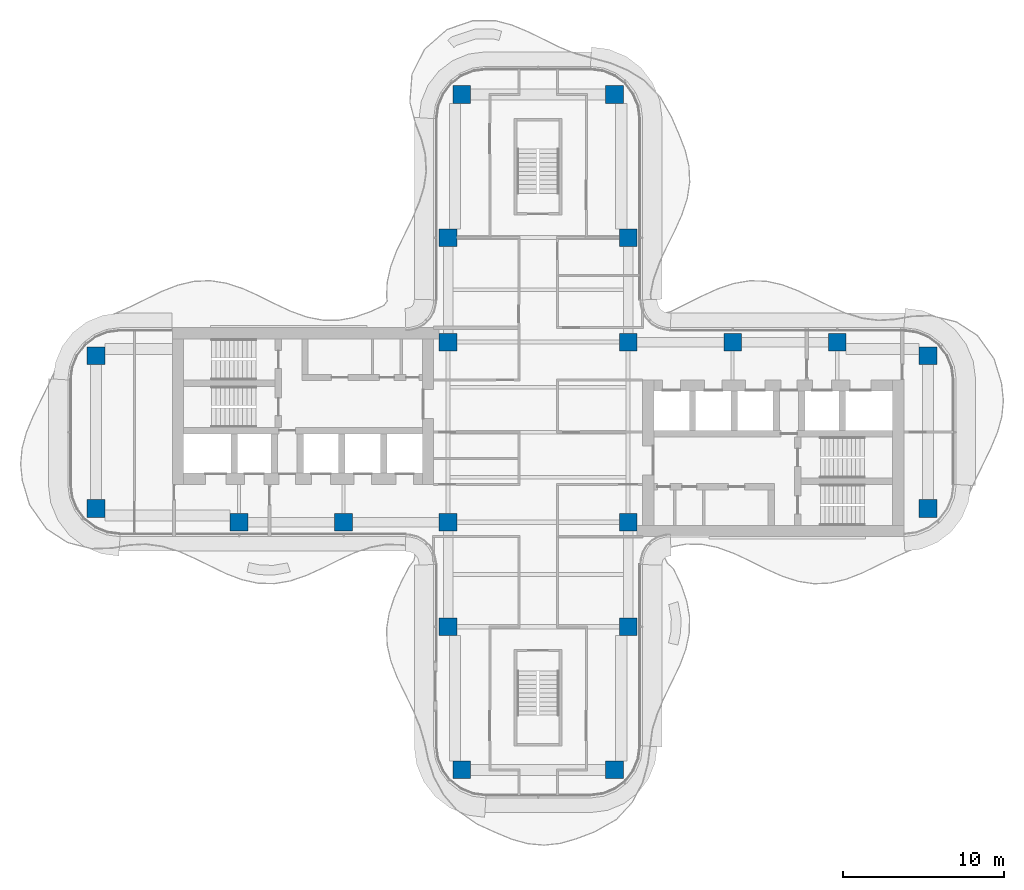
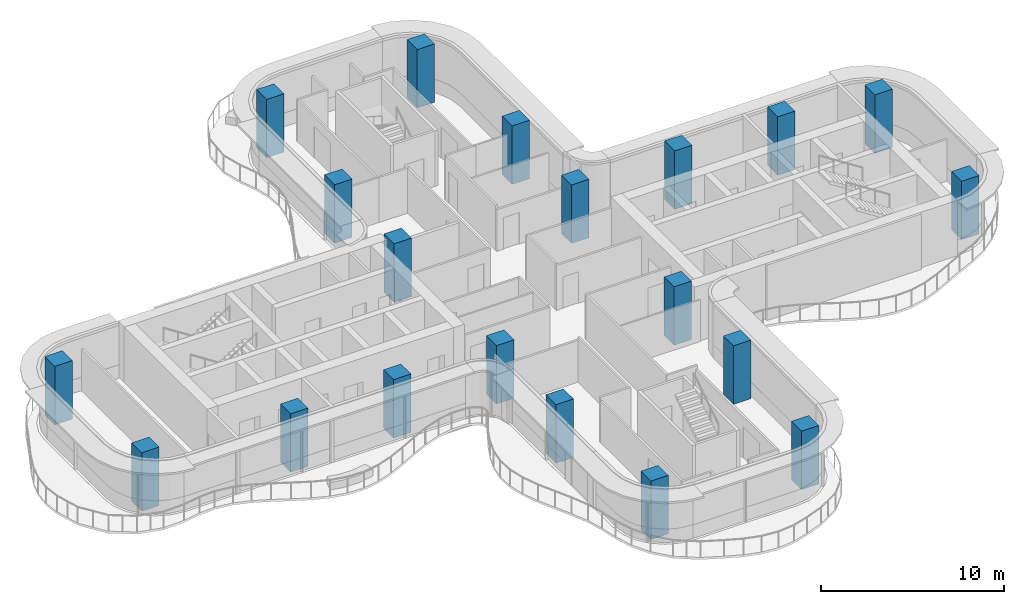
# One storey, part 1 of 16: 20 columns.
"""IFC4 building model written with IfcOpenShell, lengths in metres."""

from ifc_helpers import new_model, si_unit, direction, frame, origin, origin_2d, place, context, subcontext, project, spatial, rectangle, extrude, source, transform, mapped, material, material_profile, profile_set, type_object, element, save


model = new_model("IFC4")

# Units and contexts
model_context = context("Model", 3, precision=1e-05, world=origin(), true_north=direction((0.0, 1.0)))
body_context = subcontext(model_context, "Body", "Model", "MODEL_VIEW")
ifc_project = project(units=[si_unit("LENGTHUNIT", "METRE"), si_unit("AREAUNIT", "SQUARE_METRE"), si_unit("VOLUMEUNIT", "CUBIC_METRE"), si_unit("PLANEANGLEUNIT", "RADIAN"), si_unit("MASSUNIT", "GRAM", prefix="KILO")], contexts=[model_context])

# Site, building, storey
site_placement = place(None, origin())
site = spatial("IfcSite", under=ifc_project, at=site_placement, CompositionType="ELEMENT")
building_placement = place(site_placement, origin())
building = spatial("IfcBuilding", under=site, at=building_placement, Name="Trellis Farm Tower", CompositionType="ELEMENT")
storey_placement = place(building_placement, frame((0.0, 0.0, 248.0)))
storey = spatial("IfcBuildingStorey", under=building, at=storey_placement, Name="L55", CompositionType="ELEMENT", Elevation=248.0)

# Columns
ifc_material = material(Name="Concrete C60/75", Category="concrete")
ifc_material_profile = material_profile(ifc_material, rectangle(XDim=1.10009765625, YDim=1.10009765625, at=origin_2d()), Name="RC column 1100x1100 C60/75")
ifc_profile_set = profile_set([ifc_material_profile], Name="Concrete C60/75")
column_type = type_object("IfcColumnType", Name="RC column 1100x1100 C60/75", PredefinedType="COLUMN", material=ifc_profile_set)
shared_shape = source(origin(), body_context, "Body", "SweptSolid", [
    extrude(rectangle(XDim=1.10009765625, YDim=1.10009765625, at=origin_2d()), origin(), (0.0, 0.0, 1.0), 3.89990234375),
])
for number, where, z_axis, x_axis, name in (
    (1, (12.10009765625, 5.60009765625, 0.0), (0.0, 0.0, 1.0), (1.0, 0.0, 0.0), "Column"),
    (2, (18.60009765625, 5.60009765625, 0.0), (0.0, 0.0, 1.0), (1.0, 0.0, 0.0), "Column"),
    (3, (24.25, 4.75, 0.0), (0.0, 0.0, 1.0), (1.0, 0.0, 0.0), "Column"),
    (4, (24.25, -4.75, 0.0), (0.0, 0.0, 1.0), (1.0, 0.0, 0.0), "Column"),
    (5, (-5.60009765625, 12.10009765625, 0.0), (0.0, 0.0, 1.0), (1.0, 0.0, 0.0), "Column"),
    (6, (-4.75, 21.0, 0.0), (0.0, 0.0, 1.0), (1.0, 0.0, 0.0), "Column"),
    (7, (5.60009765625, 12.10009765625, 0.0), (0.0, 0.0, 1.0), (1.0, 0.0, 0.0), "Column"),
    (8, (4.75, 21.0, 0.0), (0.0, 0.0, 1.0), (1.0, 0.0, 0.0), "Column"),
    (9, (5.60009765625, 5.60009765625, 0.0), (0.0, 0.0, 1.0), (1.0, 0.0, 0.0), "Column"),
    (10, (-5.60009765625, 5.60009765625, 0.0), (0.0, 0.0, 1.0), (1.0, 0.0, 0.0), "Column"),
    (11, (5.60009765625, -5.60009765625, 0.0), (0.0, 0.0, 1.0), (1.0, 0.0, 0.0), "Column"),
    (12, (-5.60009765625, -5.60009765625, 0.0), (0.0, 0.0, 1.0), (1.0, 0.0, 0.0), "Column"),
    (13, (5.60009765625, -12.10009765625, 0.0), (0.0, 0.0, 1.0), (1.0, 0.0, 0.0), "Column"),
    (14, (4.75, -21.0, 0.0), (0.0, 0.0, 1.0), (1.0, 0.0, 0.0), "Column"),
    (15, (-5.60009765625, -12.10009765625, 0.0), (0.0, 0.0, 1.0), (1.0, 0.0, 0.0), "Column"),
    (16, (-4.75, -21.0, 0.0), (0.0, 0.0, 1.0), (1.0, 0.0, 0.0), "Column"),
    (17, (-12.10009765625, -5.60009765625, 0.0), (0.0, 0.0, 1.0), (1.0, 0.0, 0.0), "Column"),
    (18, (-18.60009765625, -5.60009765625, 0.0), (0.0, 0.0, 1.0), (1.0, 0.0, 0.0), "Column"),
    (19, (-27.5, -4.75, 0.0), (0.0, 0.0, 1.0), (1.0, 0.0, 0.0), "Column"),
    (20, (-27.5, 4.75, 0.0), (0.0, 0.0, 1.0), (1.0, 0.0, 0.0), "Column"),
):
    element("IfcColumn", number, at=place(storey_placement, frame(where, z_axis=z_axis, x_axis=x_axis)), inside=storey, type_object=column_type, Name=name, PredefinedType="COLUMN", context=body_context, shape_type="MappedRepresentation", body=[
        mapped(shared_shape, transform((0.0, 0.0, 0.0))),
    ])

save(model, "model.ifc")
